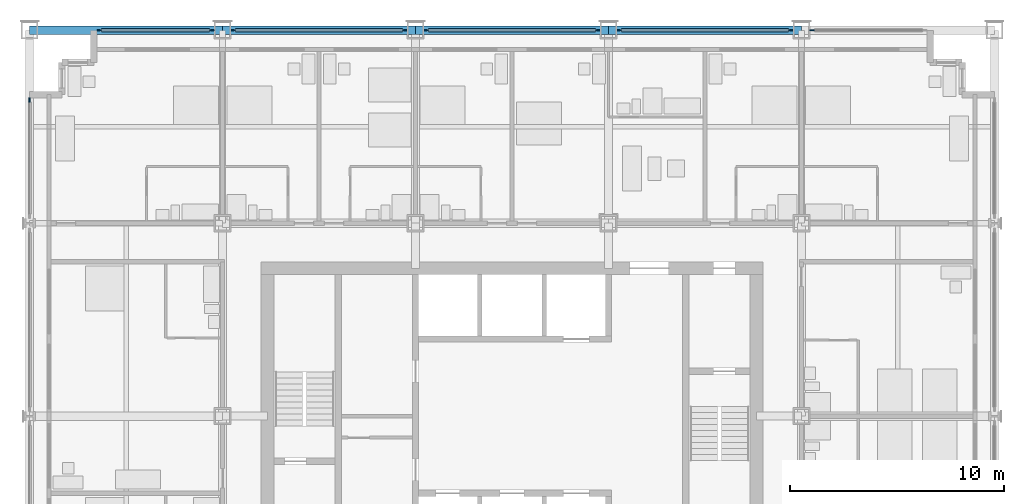
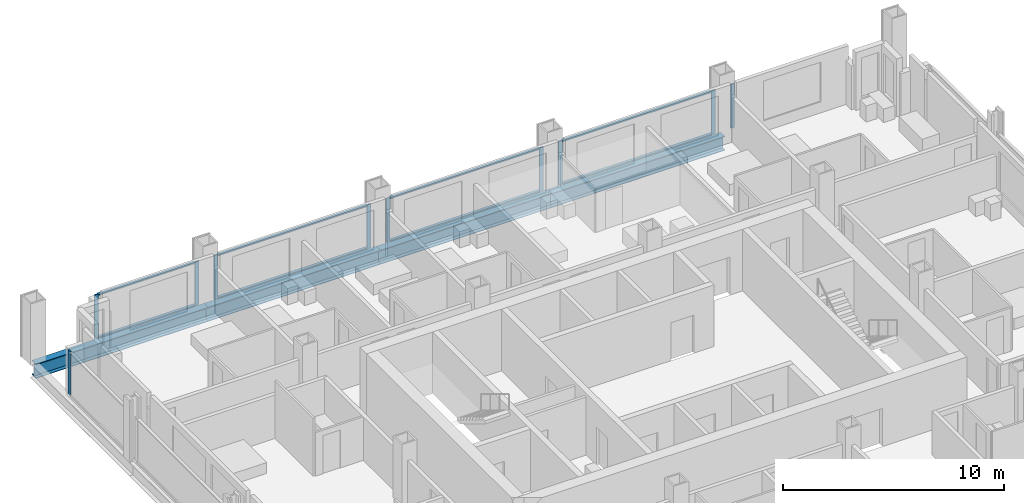
# One storey, part 6 of 16: 18 members, 4 beams, 6 elements without a shape of their own.
"""IFC4 building model written with IfcOpenShell, lengths in metres."""

from ifc_helpers import new_model, si_unit, direction, frame, origin, origin_2d, place, context, subcontext, project, spatial, rectangle, i_section, extrude, material, material_profile, profile_set, type_object, element, aggregate, save


model = new_model("IFC4")

# Units and contexts
model_context = context("Model", 3, precision=1e-05, world=origin(), true_north=direction((0.0, 1.0)))
body_context = subcontext(model_context, "Body", "Model", "MODEL_VIEW")
ifc_project = project(units=[si_unit("LENGTHUNIT", "METRE"), si_unit("AREAUNIT", "SQUARE_METRE"), si_unit("VOLUMEUNIT", "CUBIC_METRE"), si_unit("PLANEANGLEUNIT", "RADIAN"), si_unit("MASSUNIT", "GRAM", prefix="KILO")], contexts=[model_context])

# Site, building, storey
site_placement = place(None, origin())
site = spatial("IfcSite", under=ifc_project, at=site_placement, CompositionType="ELEMENT")
building_placement = place(site_placement, origin())
building = spatial("IfcBuilding", under=site, at=building_placement, Name="Loomwork Tower", CompositionType="ELEMENT")
storey_placement = place(building_placement, frame((0.0, 0.0, 101.0)))
storey = spatial("IfcBuildingStorey", under=building, at=storey_placement, Name="L26", CompositionType="ELEMENT", Elevation=101.0)

# Curtain wall, members
ifc_material_1 = material(Name="Aluminium curtain wall frame", Category="aluminium")
curtain_wall_type = type_object("IfcCurtainWallType", Name="Outer skin glazing hotel", PredefinedType="NOTDEFINED", material=ifc_material_1)
curtain_wall_1_placement = place(storey_placement, origin())
curtain_wall_1 = element("IfcCurtainWall", 1, at=curtain_wall_1_placement, inside=storey, type_object=curtain_wall_type, Name="Outer skin glazing hotel cw/N-0", PredefinedType="NOTDEFINED")
ifc_material_2 = material(Name="Aluminium curtain wall frame", Category="aluminium")
ifc_material_profile_1 = material_profile(ifc_material_2, rectangle(XDim=0.06494140625, YDim=0.199951171875, at=origin_2d()), Name="AL 65x200")
ifc_profile_set_1 = profile_set([ifc_material_profile_1], Name="Aluminium curtain wall frame")
member_type_1 = type_object("IfcMemberType", Name="Outer skin glazing hotel mullion", PredefinedType="MULLION", material=ifc_profile_set_1)
member_1_placement = place(storey_placement, frame((8.5, 36.0, 0.0), z_axis=(0.0, 0.0, 1.0), x_axis=(0.0, -1.0, 0.0)))
member_1 = element("IfcMember", 2, at=member_1_placement, type_object=member_type_1, Name="CW1 mullion 1", PredefinedType="MULLION", context=body_context, shape_type="SweptSolid", body=[
    extrude(rectangle(XDim=0.06494140625, YDim=0.199951171875, at=origin_2d()), origin(), (0.0, 0.0, 1.0), 2.420166015625),
])
member_2_placement = place(storey_placement, frame((3.25, 36.0, 0.0), z_axis=(0.0, 0.0, 1.0), x_axis=(0.0, -1.0, 0.0)))
member_2 = element("IfcMember", 3, at=member_2_placement, type_object=member_type_1, Name="CW1 mullion 2", PredefinedType="MULLION", context=body_context, shape_type="SweptSolid", body=[
    extrude(rectangle(XDim=0.06494140625, YDim=0.199951171875, at=origin_2d()), origin(), (0.0, 0.0, 1.0), 2.420166015625),
])

curtain_wall_2_placement = place(storey_placement, origin())
curtain_wall_2 = element("IfcCurtainWall", 4, at=curtain_wall_2_placement, inside=storey, type_object=curtain_wall_type, Name="Outer skin glazing hotel cw/N-9", PredefinedType="NOTDEFINED")
member_3_placement = place(storey_placement, frame((17.5, 36.0, 0.0), z_axis=(0.0, 0.0, 1.0), x_axis=(0.0, -1.0, 0.0)))
member_3 = element("IfcMember", 5, at=member_3_placement, type_object=member_type_1, Name="CW1 mullion 1", PredefinedType="MULLION", context=body_context, shape_type="SweptSolid", body=[
    extrude(rectangle(XDim=0.06494140625, YDim=0.199951171875, at=origin_2d()), origin(), (0.0, 0.0, 1.0), 2.420166015625),
])
member_4_placement = place(storey_placement, frame((9.5, 36.0, 0.0), z_axis=(0.0, 0.0, 1.0), x_axis=(0.0, -1.0, 0.0)))
member_4 = element("IfcMember", 6, at=member_4_placement, type_object=member_type_1, Name="CW1 mullion 2", PredefinedType="MULLION", context=body_context, shape_type="SweptSolid", body=[
    extrude(rectangle(XDim=0.06494140625, YDim=0.199951171875, at=origin_2d()), origin(), (0.0, 0.0, 1.0), 2.420166015625),
])

curtain_wall_3_placement = place(storey_placement, origin())
curtain_wall_3 = element("IfcCurtainWall", 7, at=curtain_wall_3_placement, inside=storey, type_object=curtain_wall_type, Name="Outer skin glazing hotel cw/N-18", PredefinedType="NOTDEFINED")
member_5_placement = place(storey_placement, frame((26.5, 36.0, 0.0), z_axis=(0.0, 0.0, 1.0), x_axis=(0.0, -1.0, 0.0)))
member_5 = element("IfcMember", 8, at=member_5_placement, type_object=member_type_1, Name="CW1 mullion 1", PredefinedType="MULLION", context=body_context, shape_type="SweptSolid", body=[
    extrude(rectangle(XDim=0.06494140625, YDim=0.199951171875, at=origin_2d()), origin(), (0.0, 0.0, 1.0), 2.420166015625),
])
member_6_placement = place(storey_placement, frame((18.5, 36.0, 0.0), z_axis=(0.0, 0.0, 1.0), x_axis=(0.0, -1.0, 0.0)))
member_6 = element("IfcMember", 9, at=member_6_placement, type_object=member_type_1, Name="CW1 mullion 2", PredefinedType="MULLION", context=body_context, shape_type="SweptSolid", body=[
    extrude(rectangle(XDim=0.06494140625, YDim=0.199951171875, at=origin_2d()), origin(), (0.0, 0.0, 1.0), 2.420166015625),
])

curtain_wall_4_placement = place(storey_placement, origin())
curtain_wall_4 = element("IfcCurtainWall", 10, at=curtain_wall_4_placement, inside=storey, type_object=curtain_wall_type, Name="Outer skin glazing hotel cw/N-27", PredefinedType="NOTDEFINED")
member_7_placement = place(storey_placement, frame((35.5, 36.0, 0.0), z_axis=(0.0, 0.0, 1.0), x_axis=(0.0, -1.0, 0.0)))
member_7 = element("IfcMember", 11, at=member_7_placement, type_object=member_type_1, Name="CW1 mullion 1", PredefinedType="MULLION", context=body_context, shape_type="SweptSolid", body=[
    extrude(rectangle(XDim=0.06494140625, YDim=0.199951171875, at=origin_2d()), origin(), (0.0, 0.0, 1.0), 2.420166015625),
])
member_8_placement = place(storey_placement, frame((27.5, 36.0, 0.0), z_axis=(0.0, 0.0, 1.0), x_axis=(0.0, -1.0, 0.0)))
member_8 = element("IfcMember", 12, at=member_8_placement, type_object=member_type_1, Name="CW1 mullion 2", PredefinedType="MULLION", context=body_context, shape_type="SweptSolid", body=[
    extrude(rectangle(XDim=0.06494140625, YDim=0.199951171875, at=origin_2d()), origin(), (0.0, 0.0, 1.0), 2.420166015625),
])

# Curtain wall, member
curtain_wall_5_placement = place(storey_placement, origin())
curtain_wall_5 = element("IfcCurtainWall", 13, at=curtain_wall_5_placement, inside=storey, type_object=curtain_wall_type, Name="Outer skin glazing hotel cw/N-36", PredefinedType="NOTDEFINED")
member_9_placement = place(storey_placement, frame((36.5, 36.0, 0.0), z_axis=(0.0, 0.0, 1.0), x_axis=(0.0, -1.0, 0.0)))
member_9 = element("IfcMember", 14, at=member_9_placement, type_object=member_type_1, Name="CW1 mullion 2", PredefinedType="MULLION", context=body_context, shape_type="SweptSolid", body=[
    extrude(rectangle(XDim=0.06494140625, YDim=0.199951171875, at=origin_2d()), origin(), (0.0, 0.0, 1.0), 2.420166015625),
])
aggregate(curtain_wall_5, [member_9])

curtain_wall_6_placement = place(storey_placement, origin())
curtain_wall_6 = element("IfcCurtainWall", 15, at=curtain_wall_6_placement, inside=storey, type_object=curtain_wall_type, Name="Outer skin glazing hotel cw/W-27", PredefinedType="NOTDEFINED")
member_10_placement = place(storey_placement, frame((0.0, 32.75, 0.0), z_axis=(0.0, 0.0, 1.0), x_axis=(1.0, 0.0, 0.0)))
member_10 = element("IfcMember", 16, at=member_10_placement, type_object=member_type_1, Name="CW1 mullion 1", PredefinedType="MULLION", context=body_context, shape_type="SweptSolid", body=[
    extrude(rectangle(XDim=0.06494140625, YDim=0.199951171875, at=origin_2d()), origin(), (0.0, 0.0, 1.0), 2.420166015625),
])
aggregate(curtain_wall_6, [member_10])

# Member
ifc_material_3 = material(Name="Aluminium curtain wall frame", Category="aluminium")
ifc_material_profile_2 = material_profile(ifc_material_3, rectangle(XDim=0.14990234375, YDim=0.06494140625, at=origin_2d()), Name="AL 65x150")
ifc_profile_set_2 = profile_set([ifc_material_profile_2], Name="Aluminium curtain wall frame")
member_type_2 = type_object("IfcMemberType", Name="Outer skin glazing hotel transom", PredefinedType="USERDEFINED", material=ifc_profile_set_2)
member_11_placement = place(storey_placement, frame((8.39990234375, 36.0, 0.032470703125), z_axis=(-1.0, 0.0, 0.0), x_axis=(0.0, -1.0, 0.0)))
member_11 = element("IfcMember", 17, at=member_11_placement, type_object=member_type_2, Name="CW1 transom 1.1", ObjectType="TRANSOM", PredefinedType="USERDEFINED", context=body_context, shape_type="SweptSolid", body=[
    extrude(rectangle(XDim=0.14990234375, YDim=0.06494140625, at=origin_2d()), origin(), (0.0, 0.0, 1.0), 5.0498046875),
])

member_12_placement = place(storey_placement, frame((8.39990234375, 36.0, 2.3876953125), z_axis=(-1.0, 0.0, 0.0), x_axis=(0.0, -1.0, 0.0)))
member_12 = element("IfcMember", 18, at=member_12_placement, type_object=member_type_2, Name="CW1 transom 1.2", ObjectType="TRANSOM", PredefinedType="USERDEFINED", context=body_context, shape_type="SweptSolid", body=[
    extrude(rectangle(XDim=0.14990234375, YDim=0.06494140625, at=origin_2d()), origin(), (0.0, 0.0, 1.0), 5.0498046875),
])

aggregate(curtain_wall_1, [member_1, member_2, member_11, member_12])

member_13_placement = place(storey_placement, frame((17.39990234375, 36.0, 0.032470703125), z_axis=(-1.0, 0.0, 0.0), x_axis=(0.0, -1.0, 0.0)))
member_13 = element("IfcMember", 19, at=member_13_placement, type_object=member_type_2, Name="CW1 transom 1.1", ObjectType="TRANSOM", PredefinedType="USERDEFINED", context=body_context, shape_type="SweptSolid", body=[
    extrude(rectangle(XDim=0.14990234375, YDim=0.06494140625, at=origin_2d()), origin(), (0.0, 0.0, 1.0), 7.7998046875),
])

member_14_placement = place(storey_placement, frame((17.39990234375, 36.0, 2.3876953125), z_axis=(-1.0, 0.0, 0.0), x_axis=(0.0, -1.0, 0.0)))
member_14 = element("IfcMember", 20, at=member_14_placement, type_object=member_type_2, Name="CW1 transom 1.2", ObjectType="TRANSOM", PredefinedType="USERDEFINED", context=body_context, shape_type="SweptSolid", body=[
    extrude(rectangle(XDim=0.14990234375, YDim=0.06494140625, at=origin_2d()), origin(), (0.0, 0.0, 1.0), 7.7998046875),
])

aggregate(curtain_wall_2, [member_3, member_4, member_13, member_14])

member_15_placement = place(storey_placement, frame((26.39990234375, 36.0, 0.032470703125), z_axis=(-1.0, 0.0, 0.0), x_axis=(0.0, -1.0, 0.0)))
member_15 = element("IfcMember", 21, at=member_15_placement, type_object=member_type_2, Name="CW1 transom 1.1", ObjectType="TRANSOM", PredefinedType="USERDEFINED", context=body_context, shape_type="SweptSolid", body=[
    extrude(rectangle(XDim=0.14990234375, YDim=0.06494140625, at=origin_2d()), origin(), (0.0, 0.0, 1.0), 7.7998046875),
])

member_16_placement = place(storey_placement, frame((26.39990234375, 36.0, 2.3876953125), z_axis=(-1.0, 0.0, 0.0), x_axis=(0.0, -1.0, 0.0)))
member_16 = element("IfcMember", 22, at=member_16_placement, type_object=member_type_2, Name="CW1 transom 1.2", ObjectType="TRANSOM", PredefinedType="USERDEFINED", context=body_context, shape_type="SweptSolid", body=[
    extrude(rectangle(XDim=0.14990234375, YDim=0.06494140625, at=origin_2d()), origin(), (0.0, 0.0, 1.0), 7.7998046875),
])

aggregate(curtain_wall_3, [member_5, member_6, member_15, member_16])

member_17_placement = place(storey_placement, frame((35.39990234375, 36.0, 0.032470703125), z_axis=(-1.0, 0.0, 0.0), x_axis=(0.0, -1.0, 0.0)))
member_17 = element("IfcMember", 23, at=member_17_placement, type_object=member_type_2, Name="CW1 transom 1.1", ObjectType="TRANSOM", PredefinedType="USERDEFINED", context=body_context, shape_type="SweptSolid", body=[
    extrude(rectangle(XDim=0.14990234375, YDim=0.06494140625, at=origin_2d()), origin(), (0.0, 0.0, 1.0), 7.7998046875),
])

member_18_placement = place(storey_placement, frame((35.39990234375, 36.0, 2.3876953125), z_axis=(-1.0, 0.0, 0.0), x_axis=(0.0, -1.0, 0.0)))
member_18 = element("IfcMember", 24, at=member_18_placement, type_object=member_type_2, Name="CW1 transom 1.2", ObjectType="TRANSOM", PredefinedType="USERDEFINED", context=body_context, shape_type="SweptSolid", body=[
    extrude(rectangle(XDim=0.14990234375, YDim=0.06494140625, at=origin_2d()), origin(), (0.0, 0.0, 1.0), 7.7998046875),
])

aggregate(curtain_wall_4, [member_7, member_8, member_17, member_18])

# Beams
ifc_material_4 = material(Name="Steel ASTM A992", Category="steel")
ifc_material_profile_3 = material_profile(ifc_material_4, i_section(OverallWidth=0.381103515625, OverallDepth=0.77978515625, WebThickness=0.01806640625, FlangeThickness=0.0302734375, at=origin_2d()), Name="W30x191")
ifc_profile_set_3 = profile_set([ifc_material_profile_3], Name="Steel ASTM A992")
beam_type = type_object("IfcBeamType", Name="SPANDREL GIRDER W30x191", PredefinedType="SPANDREL", material=ifc_profile_set_3)
for number, where, z_axis, x_axis, name in (
    (25, (0.0, 36.0, -0.58984375), (1.0, 0.0, 0.0), (0.0, 1.0, 0.0), "Spandrel Girder H/2-H/3 L26"),
    (26, (9.0, 36.0, -0.58984375), (1.0, 0.0, 0.0), (0.0, 1.0, 0.0), "Spandrel Girder H/3-H/4 L26"),
    (27, (18.0, 36.0, -0.58984375), (1.0, 0.0, 0.0), (0.0, 1.0, 0.0), "Spandrel Girder H/4-H/5 L26"),
    (28, (27.0, 36.0, -0.58984375), (1.0, 0.0, 0.0), (0.0, 1.0, 0.0), "Spandrel Girder H/5-H/6 L26"),
):
    element("IfcBeam", number, at=place(storey_placement, frame(where, z_axis=z_axis, x_axis=x_axis)), inside=storey, type_object=beam_type, Name=name, PredefinedType="SPANDREL", context=body_context, shape_type="SweptSolid", body=[
        extrude(i_section(OverallWidth=0.381103515625, OverallDepth=0.77978515625, WebThickness=0.01806640625, FlangeThickness=0.0302734375, at=origin_2d()), origin(), (0.0, 0.0, 1.0), 9.0),
    ])

save(model, "model.ifc")
